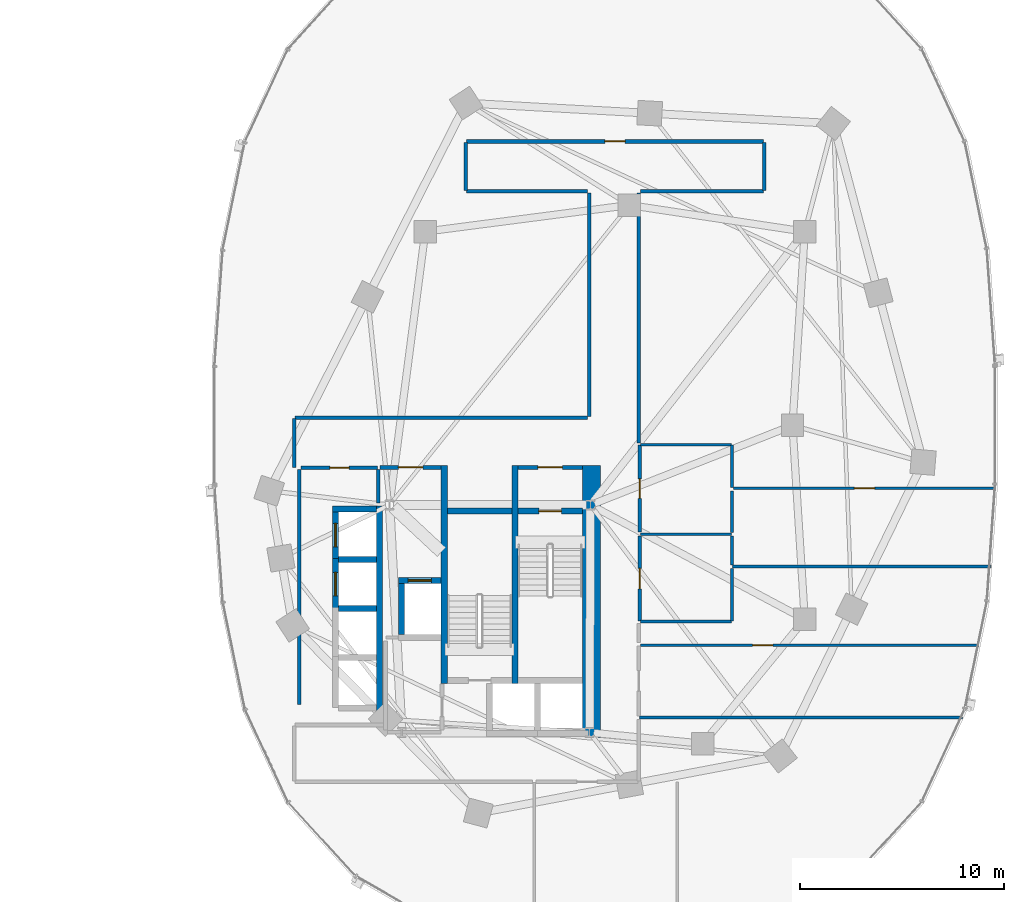
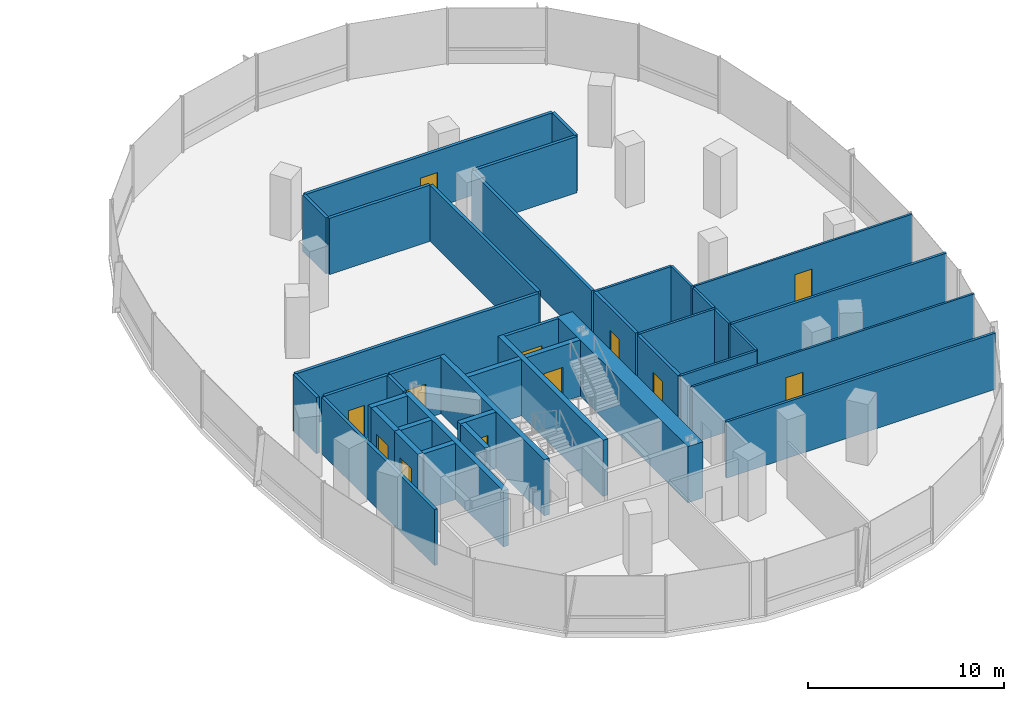
# One storey, part 13 of 21: 40 walls, 12 doors, 12 openings.
"""IFC4 building model written with IfcOpenShell, lengths in metres."""

from ifc_helpers import new_model, si_unit, direction, frame, frame_2d, origin, place, context, subcontext, project, spatial, rectangle, extrude, material, layer, layer_set, type_object, element, fill, save


model = new_model("IFC4")

# Units and contexts
model_context = context("Model", 3, precision=1e-05, world=origin(), true_north=direction((0.0, 1.0)))
body_context = subcontext(model_context, "Body", "Model", "MODEL_VIEW")
ifc_project = project(units=[si_unit("LENGTHUNIT", "METRE"), si_unit("AREAUNIT", "SQUARE_METRE"), si_unit("VOLUMEUNIT", "CUBIC_METRE"), si_unit("PLANEANGLEUNIT", "RADIAN"), si_unit("MASSUNIT", "GRAM", prefix="KILO"), si_unit("THERMODYNAMICTEMPERATUREUNIT", "KELVIN"), si_unit("POWERUNIT", "WATT")], contexts=[model_context])

# Site, building, storey
site_placement = place(None, origin())
site = spatial("IfcSite", under=ifc_project, at=site_placement, CompositionType="ELEMENT")
building_placement = place(site_placement, origin())
building = spatial("IfcBuilding", under=site, at=building_placement, Name="Cundina Bronze Exchange", CompositionType="ELEMENT")
storey_placement = place(building_placement, frame((0.0, 0.0, 27.800048828125)))
storey = spatial("IfcBuildingStorey", under=building, at=storey_placement, Name="L06", CompositionType="ELEMENT", Elevation=27.800048828125)

# Wall
ifc_material_1 = material(Name="Gypsum Fireboard Partition EI120")
ifc_layer_1 = layer(ifc_material_1, 0.179931640625, Name="Gypsum Fireboard Partition EI120")
ifc_layer_set_1 = layer_set([ifc_layer_1], Name="Gypsum Fireboard Partition EI120")
wall_type_1 = type_object("IfcWallType", Name="WL-COR-180", PredefinedType="PARTITIONING", material=ifc_layer_set_1)
wall_1_placement = place(storey_placement, frame((20.889892578125, -3.800048828125, 0.0), z_axis=(0.0, 0.0, 1.0), x_axis=(0.0, 1.0, 0.0)))
element("IfcWall", 1, at=wall_1_placement, inside=storey, type_object=wall_type_1, Name="L06 E Firefighting Lobby Side Wall", PredefinedType="PARTITIONING", context=body_context, shape_type="SweptSolid", body=[
    extrude(rectangle(XDim=1.650146484375, YDim=0.179931640625, at=frame_2d((0.8251953125, 0.0))), origin(), (0.0, 0.0, 1.0), 3.5),
])

# Wall, opening, door
wall_2_placement = place(storey_placement, frame((20.97998046875, -2.06005859375, 0.0), z_axis=(0.0, 0.0, 1.0), x_axis=(1.0, 0.0, 0.0)))
wall_2 = element("IfcWall", 2, at=wall_2_placement, inside=storey, type_object=wall_type_1, Name="L06 E Firefighting Lobby Exit Wall", PredefinedType="PARTITIONING", context=body_context, shape_type="SweptSolid", body=[
    extrude(rectangle(XDim=3.0, YDim=0.179931640625, at=frame_2d((1.5, 0.0))), origin(), (0.0, 0.0, 1.0), 3.5),
])
opening_1_placement = place(wall_2_placement, frame((0.89990234375, 0.0, 0.0)))
opening_1 = element("IfcOpeningElement", 3, at=opening_1_placement, cuts=wall_2, Name="Opening DF-01", PredefinedType="OPENING", context=body_context, shape_type="SweptSolid", body=[
    extrude(rectangle(XDim=1.199951171875, YDim=2.14990234375, at=frame_2d((0.60009765625, 1.074951171875))), frame((0.0, 0.099853515625, 0.0), z_axis=(0.0, -1.0, 0.0), x_axis=(1.0, 0.0, 0.0)), (0.0, 0.0, 1.0), 0.199951171875),
])
ifc_material_2 = material(Name="Steel ASTM A36 Painted", Category="steel")
door_type_1 = type_object("IfcDoorType", Name="DR-FFL-1200", OperationType="NOTDEFINED", PredefinedType="DOOR", material=ifc_material_2)
door_1_placement = place(opening_1_placement, origin())
door_1 = element("IfcDoor", 4, at=door_1_placement, inside=storey, type_object=door_type_1, Name="L06 E Firefighting Lobby Door", OperationType="SINGLE_SWING_LEFT", OverallHeight=2.14990234375, OverallWidth=1.199951171875, PredefinedType="DOOR", context=body_context, shape_type="SweptSolid", body=[
    extrude(rectangle(XDim=1.199951171875, YDim=2.14990234375, at=frame_2d((0.60009765625, 1.074951171875))), frame((0.0, 0.02490234375, 0.0), z_axis=(0.0, -1.0, 0.0), x_axis=(1.0, 0.0, 0.0)), (0.0, 0.0, 1.0), 0.050048828125),
])
fill(opening_1, door_1)

wall_3_placement = place(storey_placement, frame((27.739990234375, -2.06005859375, 0.0), z_axis=(0.0, 0.0, 1.0), x_axis=(1.0, 0.0, 0.0)))
wall_3 = element("IfcWall", 5, at=wall_3_placement, inside=storey, type_object=wall_type_1, Name="L06 E Stair Vestibule Exit Wall", PredefinedType="PARTITIONING", context=body_context, shape_type="SweptSolid", body=[
    extrude(rectangle(XDim=3.159912109375, YDim=0.179931640625, at=frame_2d((1.580078125, 0.0))), origin(), (0.0, 0.0, 1.0), 3.5),
])
opening_2_placement = place(wall_3_placement, frame((0.97998046875, 0.0, 0.0)))
opening_2 = element("IfcOpeningElement", 6, at=opening_2_placement, cuts=wall_3, Name="Opening DF-01", PredefinedType="OPENING", context=body_context, shape_type="SweptSolid", body=[
    extrude(rectangle(XDim=1.199951171875, YDim=2.14990234375, at=frame_2d((0.60009765625, 1.074951171875))), frame((0.0, 0.099853515625, 0.0), z_axis=(0.0, -1.0, 0.0), x_axis=(1.0, 0.0, 0.0)), (0.0, 0.0, 1.0), 0.199951171875),
])
door_2_placement = place(opening_2_placement, origin())
door_2 = element("IfcDoor", 7, at=door_2_placement, inside=storey, type_object=door_type_1, Name="L06 E Stair Vestibule Door", OperationType="SINGLE_SWING_RIGHT", OverallHeight=2.14990234375, OverallWidth=1.199951171875, PredefinedType="DOOR", context=body_context, shape_type="SweptSolid", body=[
    extrude(rectangle(XDim=1.199951171875, YDim=2.14990234375, at=frame_2d((0.60009765625, 1.074951171875))), frame((0.0, 0.02490234375, 0.0), z_axis=(0.0, -1.0, 0.0), x_axis=(1.0, 0.0, 0.0)), (0.0, 0.0, 1.0), 0.050048828125),
])
fill(opening_2, door_2)

# Wall
wall_4_placement = place(storey_placement, frame((17.02001953125, -13.679931640625, 0.0), z_axis=(0.0, 0.0, 1.0), x_axis=(0.0, 1.0, 0.0)))
element("IfcWall", 8, at=wall_4_placement, inside=storey, type_object=wall_type_1, Name="L06 Interior Partition 038", PredefinedType="PARTITIONING", context=body_context, shape_type="SweptSolid", body=[
    extrude(rectangle(XDim=11.510009765625, YDim=0.179931640625, at=frame_2d((5.7548828125, 0.0))), origin(), (0.0, 0.0, 1.0), 3.5),
])

# Wall, opening, door
wall_5_placement = place(storey_placement, frame((17.1201171875, -2.070068359375, 0.0), z_axis=(0.0, 0.0, 1.0), x_axis=(1.0, 0.0, 0.0)))
wall_5 = element("IfcWall", 9, at=wall_5_placement, inside=storey, type_object=wall_type_1, Name="L06 Interior Partition 039", PredefinedType="PARTITIONING", context=body_context, shape_type="SweptSolid", body=[
    extrude(rectangle(XDim=3.75, YDim=0.179931640625, at=frame_2d((1.875, 0.0))), origin(), (0.0, 0.0, 1.0), 3.5),
])
opening_3_placement = place(wall_5_placement, frame((1.39990234375, 0.0, 0.0)))
opening_3 = element("IfcOpeningElement", 10, at=opening_3_placement, cuts=wall_5, Name="Opening DW-01", PredefinedType="OPENING", context=body_context, shape_type="SweptSolid", body=[
    extrude(rectangle(XDim=0.949951171875, YDim=2.10009765625, at=frame_2d((0.47509765625, 1.050048828125))), frame((0.0, 0.099853515625, 0.0), z_axis=(0.0, -1.0, 0.0), x_axis=(1.0, 0.0, 0.0)), (0.0, 0.0, 1.0), 0.199951171875),
])
ifc_material_3 = material(Name="Solid Andean Oak Timber Grade A", Category="wood")
door_type_2 = type_object("IfcDoorType", Name="DR-WC-950", OperationType="NOTDEFINED", PredefinedType="DOOR", material=ifc_material_3)
door_3_placement = place(opening_3_placement, origin())
door_3 = element("IfcDoor", 11, at=door_3_placement, inside=storey, type_object=door_type_2, Name="L06 Interior Door 039", OperationType="SINGLE_SWING_RIGHT", OverallHeight=2.10009765625, OverallWidth=0.949951171875, PredefinedType="DOOR", context=body_context, shape_type="SweptSolid", body=[
    extrude(rectangle(XDim=0.949951171875, YDim=2.10009765625, at=frame_2d((0.47509765625, 1.050048828125))), frame((0.0, 0.02490234375, 0.0), z_axis=(0.0, -1.0, 0.0), x_axis=(1.0, 0.0, 0.0)), (0.0, 0.0, 1.0), 0.050048828125),
])
fill(opening_3, door_3)

wall_6_placement = place(storey_placement, frame((33.719970703125, -5.22998046875, 0.0), z_axis=(0.0, 0.0, 1.0), x_axis=(0.0, 1.0, 0.0)))
wall_6 = element("IfcWall", 12, at=wall_6_placement, inside=storey, type_object=wall_type_1, Name="L06 Interior Partition 051", PredefinedType="PARTITIONING", context=body_context, shape_type="SweptSolid", body=[
    extrude(rectangle(XDim=4.260009765625, YDim=0.179931640625, at=frame_2d((2.1298828125, 0.0))), origin(), (0.0, 0.0, 1.0), 3.5),
])
opening_4_placement = place(wall_6_placement, frame((1.655029296875, 0.0, 0.0)))
opening_4 = element("IfcOpeningElement", 13, at=opening_4_placement, cuts=wall_6, Name="Opening DW-01", PredefinedType="OPENING", context=body_context, shape_type="SweptSolid", body=[
    extrude(rectangle(XDim=0.949951171875, YDim=2.10009765625, at=frame_2d((0.47509765625, 1.050048828125))), frame((0.0, 0.099853515625, 0.0), z_axis=(0.0, -1.0, 0.0), x_axis=(1.0, 0.0, 0.0)), (0.0, 0.0, 1.0), 0.199951171875),
])
door_4_placement = place(opening_4_placement, origin())
door_4 = element("IfcDoor", 14, at=door_4_placement, inside=storey, type_object=door_type_2, Name="L06 Interior Door 051", OperationType="SINGLE_SWING_RIGHT", OverallHeight=2.10009765625, OverallWidth=0.949951171875, PredefinedType="DOOR", context=body_context, shape_type="SweptSolid", body=[
    extrude(rectangle(XDim=0.949951171875, YDim=2.10009765625, at=frame_2d((0.47509765625, 1.050048828125))), frame((0.0, 0.02490234375, 0.0), z_axis=(0.0, -1.0, 0.0), x_axis=(1.0, 0.0, 0.0)), (0.0, 0.0, 1.0), 0.050048828125),
])
fill(opening_4, door_4)

wall_7_placement = place(storey_placement, frame((33.719970703125, -9.590087890625, 0.0), z_axis=(0.0, 0.0, 1.0), x_axis=(0.0, 1.0, 0.0)))
wall_7 = element("IfcWall", 15, at=wall_7_placement, inside=storey, type_object=wall_type_1, Name="L06 Interior Partition 052", PredefinedType="PARTITIONING", context=body_context, shape_type="SweptSolid", body=[
    extrude(rectangle(XDim=4.16015625, YDim=0.179931640625, at=frame_2d((2.080078125, 0.0))), origin(), (0.0, 0.0, 1.0), 3.5),
])
opening_5_placement = place(wall_7_placement, frame((1.580078125, 0.0, 0.0)))
opening_5 = element("IfcOpeningElement", 16, at=opening_5_placement, cuts=wall_7, Name="Opening DO-01", PredefinedType="OPENING", context=body_context, shape_type="SweptSolid", body=[
    extrude(rectangle(XDim=1.0, YDim=2.14990234375, at=frame_2d((0.5, 1.074951171875))), frame((0.0, 0.099853515625, 0.0), z_axis=(0.0, -1.0, 0.0), x_axis=(1.0, 0.0, 0.0)), (0.0, 0.0, 1.0), 0.199951171875),
])
door_type_3 = type_object("IfcDoorType", Name="DR-OFF-1000", OperationType="NOTDEFINED", PredefinedType="DOOR", material=ifc_material_3)
door_5_placement = place(opening_5_placement, origin())
door_5 = element("IfcDoor", 17, at=door_5_placement, inside=storey, type_object=door_type_3, Name="L06 Interior Door 052", OperationType="SINGLE_SWING_RIGHT", OverallHeight=2.14990234375, OverallWidth=1.0, PredefinedType="DOOR", context=body_context, shape_type="SweptSolid", body=[
    extrude(rectangle(XDim=1.0, YDim=2.14990234375, at=frame_2d((0.5, 1.074951171875))), frame((0.0, 0.02490234375, 0.0), z_axis=(0.0, -1.0, 0.0), x_axis=(1.0, 0.0, 0.0)), (0.0, 0.0, 1.0), 0.050048828125),
])
fill(opening_5, door_5)

wall_8_placement = place(storey_placement, frame((39.778564453125, 13.919921875, 0.0), z_axis=(0.0, 0.0, 1.0), x_axis=(-1.0, 0.0, 0.0)))
wall_8 = element("IfcWall", 18, at=wall_8_placement, inside=storey, type_object=wall_type_1, Name="L06 Interior Partition 061", PredefinedType="PARTITIONING", context=body_context, shape_type="SweptSolid", body=[
    extrude(rectangle(XDim=14.55712890625, YDim=0.179931640625, at=frame_2d((7.278564453125, 0.0))), origin(), (0.0, 0.0, 1.0), 3.5),
])
opening_6_placement = place(wall_8_placement, frame((6.778564453125, 0.0, 0.0)))
opening_6 = element("IfcOpeningElement", 19, at=opening_6_placement, cuts=wall_8, Name="Opening DO-01", PredefinedType="OPENING", context=body_context, shape_type="SweptSolid", body=[
    extrude(rectangle(XDim=1.0, YDim=2.14990234375, at=frame_2d((0.5, 1.074951171875))), frame((0.0, 0.099853515625, 0.0), z_axis=(0.0, -1.0, 0.0), x_axis=(1.0, 0.0, 0.0)), (0.0, 0.0, 1.0), 0.199951171875),
])
door_6_placement = place(opening_6_placement, origin())
door_6 = element("IfcDoor", 20, at=door_6_placement, inside=storey, type_object=door_type_3, Name="L06 Interior Door 061", OperationType="SINGLE_SWING_LEFT", OverallHeight=2.14990234375, OverallWidth=1.0, PredefinedType="DOOR", context=body_context, shape_type="SweptSolid", body=[
    extrude(rectangle(XDim=1.0, YDim=2.14990234375, at=frame_2d((0.5, 1.074951171875))), frame((0.0, 0.02490234375, 0.0), z_axis=(0.0, -1.0, 0.0), x_axis=(1.0, 0.0, 0.0)), (0.0, 0.0, 1.0), 0.050048828125),
])
fill(opening_6, door_6)

# Walls
wall_9_placement = place(storey_placement, frame((31.14990234375, 0.3701171875, 0.0), z_axis=(0.0, 0.0, 1.0), x_axis=(-1.0, 0.0, 0.0)))
element("IfcWall", 21, at=wall_9_placement, inside=storey, type_object=wall_type_1, Name="L06 Interior Partition 062", PredefinedType="PARTITIONING", context=body_context, shape_type="SweptSolid", body=[
    extrude(rectangle(XDim=14.328369140625, YDim=0.179931640625, at=frame_2d((7.1640625, 0.0))), origin(), (0.0, 0.0, 1.0), 3.5),
])
wall_10_placement = place(storey_placement, frame((33.669921875, -0.858642578125, 0.0), z_axis=(0.0, 0.0, 1.0), x_axis=(0.0, 1.0, 0.0)))
element("IfcWall", 22, at=wall_10_placement, inside=storey, type_object=wall_type_1, Name="L06 Interior Partition 063", PredefinedType="PARTITIONING", context=body_context, shape_type="SweptSolid", body=[
    extrude(rectangle(XDim=12.258544921875, YDim=0.179931640625, at=frame_2d((6.12939453125, 0.0))), origin(), (0.0, 0.0, 1.0), 3.5),
])
wall_11_placement = place(storey_placement, frame((31.22998046875, 11.39990234375, 0.0), z_axis=(0.0, 0.0, 1.0), x_axis=(0.0, -1.0, 0.0)))
element("IfcWall", 23, at=wall_11_placement, inside=storey, type_object=wall_type_1, Name="L06 Interior Partition 065", PredefinedType="PARTITIONING", context=body_context, shape_type="SweptSolid", body=[
    extrude(rectangle(XDim=10.949951171875, YDim=0.179931640625, at=frame_2d((5.47509765625, 0.0))), origin(), (0.0, 0.0, 1.0), 3.5),
])
wall_12_placement = place(storey_placement, frame((33.75, 11.47998046875, 0.0), z_axis=(0.0, 0.0, 1.0), x_axis=(1.0, 0.0, 0.0)))
element("IfcWall", 24, at=wall_12_placement, inside=storey, type_object=wall_type_1, Name="L06 Interior Partition 066", PredefinedType="PARTITIONING", context=body_context, shape_type="SweptSolid", body=[
    extrude(rectangle(XDim=6.028564453125, YDim=0.179931640625, at=frame_2d((3.01416015625, 0.0))), origin(), (0.0, 0.0, 1.0), 3.5),
])
wall_13_placement = place(storey_placement, frame((25.221435546875, 11.47998046875, 0.0), z_axis=(0.0, 0.0, 1.0), x_axis=(1.0, 0.0, 0.0)))
element("IfcWall", 25, at=wall_13_placement, inside=storey, type_object=wall_type_1, Name="L06 Interior Partition 067", PredefinedType="PARTITIONING", context=body_context, shape_type="SweptSolid", body=[
    extrude(rectangle(XDim=5.928466796875, YDim=0.179931640625, at=frame_2d((2.96435546875, 0.0))), origin(), (0.0, 0.0, 1.0), 3.5),
])
wall_14_placement = place(storey_placement, frame((16.780029296875, 0.32861328125, 0.0), z_axis=(0.0, 0.0, 1.0), x_axis=(0.0, -1.0, 0.0)))
element("IfcWall", 26, at=wall_14_placement, inside=storey, type_object=wall_type_1, Name="L06 Interior Partition 070", PredefinedType="PARTITIONING", context=body_context, shape_type="SweptSolid", body=[
    extrude(rectangle(XDim=2.38720703125, YDim=0.179931640625, at=frame_2d((1.193603515625, 0.0))), origin(), (0.0, 0.0, 1.0), 3.5),
])
for number, where, z_axis, x_axis, name in (
    (27, (39.820068359375, 11.521484375, 0.0), (0.0, 0.0, 1.0), (0.0, 1.0, 0.0), "L06 Interior Partition 071"),
    (28, (25.179931640625, 13.87841796875, 0.0), (0.0, 0.0, 1.0), (0.0, -1.0, 0.0), "L06 Interior Partition 072"),
):
    element("IfcWall", number, at=place(storey_placement, frame(where, z_axis=z_axis, x_axis=x_axis)), inside=storey, type_object=wall_type_1, Name=name, PredefinedType="PARTITIONING", context=body_context, shape_type="SweptSolid", body=[
        extrude(rectangle(XDim=2.35693359375, YDim=0.179931640625, at=frame_2d((1.178466796875, 0.0))), origin(), (0.0, 0.0, 1.0), 3.5),
    ])
ifc_material_4 = material(Name="Concrete C60/75", Category="concrete")
ifc_layer_2 = layer(ifc_material_4, 0.89990234375, Name="Concrete C60/75", Category="concrete")
ifc_layer_set_2 = layer_set([ifc_layer_2], Name="Concrete C60/75")
wall_type_2 = type_object("IfcWallType", Name="WL-CORE-900", PredefinedType="SHEAR", material=ifc_layer_set_2)
wall_15_placement = place(storey_placement, frame((31.35009765625, -15.300048828125, 0.0), z_axis=(0.0, 0.0, 1.0), x_axis=(0.0, 1.0, 0.0)))
element("IfcWall", 29, at=wall_15_placement, inside=storey, type_object=wall_type_2, Name="L06 E Primary Core Shear Spine Wall", PredefinedType="SHEAR", context=body_context, shape_type="SweptSolid", body=[
    extrude(rectangle(XDim=13.330078125, YDim=0.89990234375, at=frame_2d((6.6650390625, 0.0))), origin(), (0.0, 0.0, 1.0), 3.5),
])

# Wall, opening, door
ifc_material_5 = material(Name="Gypsum Acoustic Partition EI60")
ifc_layer_3 = layer(ifc_material_5, 0.125, Name="Gypsum Acoustic Partition EI60")
ifc_layer_set_3 = layer_set([ifc_layer_3], Name="Gypsum Acoustic Partition EI60")
wall_type_3 = type_object("IfcWallType", Name="WL-OFF-125", PredefinedType="PARTITIONING", material=ifc_layer_set_3)
wall_16_placement = place(storey_placement, frame((50.3427734375, -10.77001953125, 0.0), z_axis=(0.0, 0.0, 1.0), x_axis=(-1.0, 0.0, 0.0)))
wall_16 = element("IfcWall", 30, at=wall_16_placement, inside=storey, type_object=wall_type_3, Name="L06 Interior Partition 073", PredefinedType="PARTITIONING", context=body_context, shape_type="SweptSolid", body=[
    extrude(rectangle(XDim=16.5927734375, YDim=0.125, at=frame_2d((8.29638671875, 0.0))), origin(), (0.0, 0.0, 1.0), 3.5),
])
opening_7_placement = place(wall_16_placement, frame((10.099365234375, 0.0, 0.0)))
opening_7 = element("IfcOpeningElement", 31, at=opening_7_placement, cuts=wall_16, Name="Opening DO-01", PredefinedType="OPENING", context=body_context, shape_type="SweptSolid", body=[
    extrude(rectangle(XDim=1.0, YDim=2.14990234375, at=frame_2d((0.5, 1.074951171875))), frame((0.0, 0.072509765625, 0.0), z_axis=(0.0, -1.0, 0.0), x_axis=(1.0, 0.0, 0.0)), (0.0, 0.0, 1.0), 0.14501953125),
])
door_7_placement = place(opening_7_placement, origin())
door_7 = element("IfcDoor", 32, at=door_7_placement, inside=storey, type_object=door_type_3, Name="L06 Interior Door 073", OperationType="SINGLE_SWING_RIGHT", OverallHeight=2.14990234375, OverallWidth=1.0, PredefinedType="DOOR", context=body_context, shape_type="SweptSolid", body=[
    extrude(rectangle(XDim=1.0, YDim=2.14990234375, at=frame_2d((0.5, 1.074951171875))), frame((0.0, 0.02490234375, 0.0), z_axis=(0.0, -1.0, 0.0), x_axis=(1.0, 0.0, 0.0)), (0.0, 0.0, 1.0), 0.050048828125),
])
fill(opening_7, door_7)

wall_17_placement = place(storey_placement, frame((38.320068359375, -3.070068359375, 0.0), z_axis=(0.0, 0.0, 1.0), x_axis=(1.0, 0.0, 0.0)))
wall_17 = element("IfcWall", 33, at=wall_17_placement, inside=storey, type_object=wall_type_3, Name="L06 Interior Partition 074", PredefinedType="PARTITIONING", context=body_context, shape_type="SweptSolid", body=[
    extrude(rectangle(XDim=12.819580078125, YDim=0.125, at=frame_2d((6.40966796875, 0.0))), origin(), (0.0, 0.0, 1.0), 3.5),
])
opening_8_placement = place(wall_17_placement, frame((5.909912109375, 0.0, 0.0)))
opening_8 = element("IfcOpeningElement", 34, at=opening_8_placement, cuts=wall_17, Name="Opening DO-01", PredefinedType="OPENING", context=body_context, shape_type="SweptSolid", body=[
    extrude(rectangle(XDim=1.0, YDim=2.14990234375, at=frame_2d((0.5, 1.074951171875))), frame((0.0, 0.072509765625, 0.0), z_axis=(0.0, -1.0, 0.0), x_axis=(1.0, 0.0, 0.0)), (0.0, 0.0, 1.0), 0.14501953125),
])
door_8_placement = place(opening_8_placement, origin())
door_8 = element("IfcDoor", 35, at=door_8_placement, inside=storey, type_object=door_type_3, Name="L06 Interior Door 074", OperationType="SINGLE_SWING_LEFT", OverallHeight=2.14990234375, OverallWidth=1.0, PredefinedType="DOOR", context=body_context, shape_type="SweptSolid", body=[
    extrude(rectangle(XDim=1.0, YDim=2.14990234375, at=frame_2d((0.5, 1.074951171875))), frame((0.0, 0.02490234375, 0.0), z_axis=(0.0, -1.0, 0.0), x_axis=(1.0, 0.0, 0.0)), (0.0, 0.0, 1.0), 0.050048828125),
])
fill(opening_8, door_8)

# Walls
ifc_material_6 = material(Name="Concrete C50/60", Category="concrete")
ifc_layer_4 = layer(ifc_material_6, 0.300048828125, Name="Concrete C50/60", Category="concrete")
ifc_layer_set_4 = layer_set([ifc_layer_4], Name="Concrete C50/60")
wall_type_4 = type_object("IfcWallType", Name="WL-SHFT-300", PredefinedType="SHEAR", material=ifc_layer_set_4)
for number, where, z_axis, x_axis, name in (
    (36, (27.590087890625, -12.64990234375, 0.0), (0.0, 0.0, 1.0), (0.0, 1.0, 0.0), "L06 E Stair Shaft Dividing Shear Wall"),
    (37, (24.1298828125, -12.64990234375, 0.0), (0.0, 0.0, 1.0), (0.0, 1.0, 0.0), "L06 E Stair 2 East Shear Wall"),
):
    element("IfcWall", number, at=place(storey_placement, frame(where, z_axis=z_axis, x_axis=x_axis)), inside=storey, type_object=wall_type_4, Name=name, PredefinedType="SHEAR", context=body_context, shape_type="SweptSolid", body=[
        extrude(rectangle(XDim=10.679931640625, YDim=0.300048828125, at=frame_2d((5.33984375, 0.0))), origin(), (0.0, 0.0, 1.0), 3.5),
    ])

# Wall, opening, door
wall_18_placement = place(storey_placement, frame((27.739990234375, -4.199951171875, 0.0), z_axis=(0.0, 0.0, 1.0), x_axis=(1.0, 0.0, 0.0)))
wall_18 = element("IfcWall", 38, at=wall_18_placement, inside=storey, type_object=wall_type_4, Name="L06 Stair E1 Landing Wall", PredefinedType="SHEAR", context=body_context, shape_type="SweptSolid", body=[
    extrude(rectangle(XDim=3.159912109375, YDim=0.300048828125, at=frame_2d((1.580078125, 0.0))), origin(), (0.0, 0.0, 1.0), 3.5),
])
opening_9_placement = place(wall_18_placement, frame((1.030029296875, 0.0, 0.0)))
opening_9 = element("IfcOpeningElement", 39, at=opening_9_placement, cuts=wall_18, Name="Opening DS-01", PredefinedType="OPENING", context=body_context, shape_type="SweptSolid", body=[
    extrude(rectangle(XDim=1.10009765625, YDim=2.14990234375, at=frame_2d((0.550048828125, 1.074951171875))), frame((0.0, 0.159912109375, 0.0), z_axis=(0.0, -1.0, 0.0), x_axis=(1.0, 0.0, 0.0)), (0.0, 0.0, 1.0), 0.320068359375),
])
door_type_4 = type_object("IfcDoorType", Name="DR-STR-1100", OperationType="NOTDEFINED", PredefinedType="DOOR", material=ifc_material_2)
door_9_placement = place(opening_9_placement, origin())
door_9 = element("IfcDoor", 40, at=door_9_placement, inside=storey, type_object=door_type_4, Name="L06 Smokeproof Stair E1 Door", OperationType="SINGLE_SWING_LEFT", OverallHeight=2.14990234375, OverallWidth=1.10009765625, PredefinedType="DOOR", context=body_context, shape_type="SweptSolid", body=[
    extrude(rectangle(XDim=1.10009765625, YDim=2.14990234375, at=frame_2d((0.550048828125, 1.074951171875))), frame((0.0, 0.02490234375, 0.0), z_axis=(0.0, -1.0, 0.0), x_axis=(1.0, 0.0, 0.0)), (0.0, 0.0, 1.0), 0.050048828125),
])
fill(opening_9, door_9)

# Wall
wall_19_placement = place(storey_placement, frame((24.280029296875, -4.199951171875, 0.0), z_axis=(0.0, 0.0, 1.0), x_axis=(1.0, 0.0, 0.0)))
element("IfcWall", 41, at=wall_19_placement, inside=storey, type_object=wall_type_4, Name="L06 Stair E2 Far Shaft Wall", PredefinedType="SHEAR", context=body_context, shape_type="SweptSolid", body=[
    extrude(rectangle(XDim=3.159912109375, YDim=0.300048828125, at=frame_2d((1.580078125, 0.0))), origin(), (0.0, 0.0, 1.0), 3.5),
])

# Wall, opening, door
wall_20_placement = place(storey_placement, frame((21.8798828125, -7.60009765625, 0.0), z_axis=(0.0, 0.0, 1.0), x_axis=(1.0, 0.0, 0.0)))
wall_20 = element("IfcWall", 42, at=wall_20_placement, inside=storey, type_object=wall_type_4, Name="L06 FFL-E Hoistway Front Wall", PredefinedType="SHEAR", context=body_context, shape_type="SweptSolid", body=[
    extrude(rectangle(XDim=2.10009765625, YDim=0.300048828125, at=frame_2d((1.050048828125, 0.0))), origin(), (0.0, 0.0, 1.0), 3.5),
])
opening_10_placement = place(wall_20_placement, frame((0.47509765625, 0.0, 0.0)))
opening_10 = element("IfcOpeningElement", 43, at=opening_10_placement, cuts=wall_20, Name="Opening LD-01", PredefinedType="OPENING", context=body_context, shape_type="SweptSolid", body=[
    extrude(rectangle(XDim=1.14990234375, YDim=2.199951171875, at=frame_2d((0.574951171875, 1.10009765625))), frame((0.0, 0.159912109375, 0.0), z_axis=(0.0, -1.0, 0.0), x_axis=(1.0, 0.0, 0.0)), (0.0, 0.0, 1.0), 0.320068359375),
])
door_type_5 = type_object("IfcDoorType", Name="DR-LND-1150", OperationType="NOTDEFINED", PredefinedType="TRAPDOOR", material=ifc_material_2)
door_10_placement = place(opening_10_placement, origin())
door_10 = element("IfcDoor", 44, at=door_10_placement, inside=storey, type_object=door_type_5, Name="L06 FFL-E Sliding Landing Door", OperationType="SLIDING_TO_LEFT", OverallHeight=2.199951171875, OverallWidth=1.14990234375, PredefinedType="TRAPDOOR", context=body_context, shape_type="SweptSolid", body=[
    extrude(rectangle(XDim=1.14990234375, YDim=2.199951171875, at=frame_2d((0.574951171875, 1.10009765625))), frame((0.0, 0.02490234375, 0.0), z_axis=(0.0, -1.0, 0.0), x_axis=(1.0, 0.0, 0.0)), (0.0, 0.0, 1.0), 0.050048828125),
])
fill(opening_10, door_10)

# Walls
wall_21_placement = place(storey_placement, frame((22.030029296875, -10.25, 0.0), z_axis=(0.0, 0.0, 1.0), x_axis=(0.0, 1.0, 0.0)))
element("IfcWall", 45, at=wall_21_placement, inside=storey, type_object=wall_type_4, Name="L06 FFL-E Hoistway Side Wall", PredefinedType="SHEAR", context=body_context, shape_type="SweptSolid", body=[
    extrude(rectangle(XDim=2.5, YDim=0.300048828125, at=frame_2d((1.25, 0.0))), origin(), (0.0, 0.0, 1.0), 3.5),
])
wall_22_placement = place(storey_placement, frame((20.949951171875, -14.0, 0.0), z_axis=(0.0, 0.0, 1.0), x_axis=(0.0, 1.0, 0.0)))
element("IfcWall", 46, at=wall_22_placement, inside=storey, type_object=wall_type_4, Name="L06 E Passenger Bank Hoistway Back Wall", PredefinedType="SHEAR", context=body_context, shape_type="SweptSolid", body=[
    extrude(rectangle(XDim=10.050048828125, YDim=0.300048828125, at=frame_2d((5.02490234375, 0.0))), origin(), (0.0, 0.0, 1.0), 3.5),
])
wall_23_placement = place(storey_placement, frame((18.64990234375, -4.10009765625, 0.0), z_axis=(0.0, 0.0, 1.0), x_axis=(1.0, 0.0, 0.0)))
element("IfcWall", 47, at=wall_23_placement, inside=storey, type_object=wall_type_4, Name="L06 E Passenger Bank North Cap Wall", PredefinedType="SHEAR", context=body_context, shape_type="SweptSolid", body=[
    extrude(rectangle(XDim=2.150146484375, YDim=0.300048828125, at=frame_2d((1.0751953125, 0.0))), origin(), (0.0, 0.0, 1.0), 3.5),
])
for number, where, z_axis, x_axis, name in (
    (48, (18.949951171875, -8.97509765625, 0.0), (0.0, 0.0, 1.0), (1.0, 0.0, 0.0), "L06 E Passenger Hoistway Divider 2"),
    (49, (18.949951171875, -6.574951171875, 0.0), (0.0, 0.0, 1.0), (1.0, 0.0, 0.0), "L06 E Passenger Hoistway Divider 3"),
):
    element("IfcWall", number, at=place(storey_placement, frame(where, z_axis=z_axis, x_axis=x_axis)), inside=storey, type_object=wall_type_4, Name=name, PredefinedType="SHEAR", context=body_context, shape_type="SweptSolid", body=[
        extrude(rectangle(XDim=1.85009765625, YDim=0.300048828125, at=frame_2d((0.925048828125, 0.0))), origin(), (0.0, 0.0, 1.0), 3.5),
    ])

# Wall, opening, door
wall_24_placement = place(storey_placement, frame((18.800048828125, -9.02001953125, 0.0), z_axis=(0.0, 0.0, 1.0), x_axis=(0.0, 1.0, 0.0)))
wall_24 = element("IfcWall", 50, at=wall_24_placement, inside=storey, type_object=wall_type_4, Name="L06 PL-E1 Hoistway Front Wall", PredefinedType="SHEAR", context=body_context, shape_type="SweptSolid", body=[
    extrude(rectangle(XDim=2.489990234375, YDim=0.300048828125, at=frame_2d((1.2451171875, 0.0))), origin(), (0.0, 0.0, 1.0), 3.5),
])
opening_11_placement = place(wall_24_placement, frame((0.669921875, 0.0, 0.0)))
opening_11 = element("IfcOpeningElement", 51, at=opening_11_placement, cuts=wall_24, Name="Opening LD-01", PredefinedType="OPENING", context=body_context, shape_type="SweptSolid", body=[
    extrude(rectangle(XDim=1.14990234375, YDim=2.199951171875, at=frame_2d((0.574951171875, 1.10009765625))), frame((0.0, 0.159912109375, 0.0), z_axis=(0.0, -1.0, 0.0), x_axis=(1.0, 0.0, 0.0)), (0.0, 0.0, 1.0), 0.320068359375),
])
door_11_placement = place(opening_11_placement, origin())
door_11 = element("IfcDoor", 52, at=door_11_placement, inside=storey, type_object=door_type_5, Name="L06 PL-E1 Sliding Landing Door", OperationType="SLIDING_TO_LEFT", OverallHeight=2.199951171875, OverallWidth=1.14990234375, PredefinedType="TRAPDOOR", context=body_context, shape_type="SweptSolid", body=[
    extrude(rectangle(XDim=1.14990234375, YDim=2.199951171875, at=frame_2d((0.574951171875, 1.10009765625))), frame((0.0, 0.02490234375, 0.0), z_axis=(0.0, -1.0, 0.0), x_axis=(1.0, 0.0, 0.0)), (0.0, 0.0, 1.0), 0.050048828125),
])
fill(opening_11, door_11)

wall_25_placement = place(storey_placement, frame((18.800048828125, -6.6201171875, 0.0), z_axis=(0.0, 0.0, 1.0), x_axis=(0.0, 1.0, 0.0)))
wall_25 = element("IfcWall", 53, at=wall_25_placement, inside=storey, type_object=wall_type_4, Name="L06 PL-E2 Hoistway Front Wall", PredefinedType="SHEAR", context=body_context, shape_type="SweptSolid", body=[
    extrude(rectangle(XDim=2.490234375, YDim=0.300048828125, at=frame_2d((1.2451171875, 0.0))), origin(), (0.0, 0.0, 1.0), 3.5),
])
opening_12_placement = place(wall_25_placement, frame((0.669921875, 0.0, 0.0)))
opening_12 = element("IfcOpeningElement", 54, at=opening_12_placement, cuts=wall_25, Name="Opening LD-01", PredefinedType="OPENING", context=body_context, shape_type="SweptSolid", body=[
    extrude(rectangle(XDim=1.14990234375, YDim=2.199951171875, at=frame_2d((0.574951171875, 1.10009765625))), frame((0.0, 0.159912109375, 0.0), z_axis=(0.0, -1.0, 0.0), x_axis=(1.0, 0.0, 0.0)), (0.0, 0.0, 1.0), 0.320068359375),
])
door_12_placement = place(opening_12_placement, origin())
door_12 = element("IfcDoor", 55, at=door_12_placement, inside=storey, type_object=door_type_5, Name="L06 PL-E2 Sliding Landing Door", OperationType="SLIDING_TO_LEFT", OverallHeight=2.199951171875, OverallWidth=1.14990234375, PredefinedType="TRAPDOOR", context=body_context, shape_type="SweptSolid", body=[
    extrude(rectangle(XDim=1.14990234375, YDim=2.199951171875, at=frame_2d((0.574951171875, 1.10009765625))), frame((0.0, 0.02490234375, 0.0), z_axis=(0.0, -1.0, 0.0), x_axis=(1.0, 0.0, 0.0)), (0.0, 0.0, 1.0), 0.050048828125),
])
fill(opening_12, door_12)

# Walls
ifc_layer_5 = layer(ifc_material_5, 0.14990234375, Name="Gypsum Acoustic Partition EI60")
ifc_layer_set_5 = layer_set([ifc_layer_5], Name="Gypsum Acoustic Partition EI60")
wall_type_5 = type_object("IfcWallType", Name="WL-TEN-150", PredefinedType="PARTITIONING", material=ifc_layer_set_5)
wall_26_placement = place(storey_placement, frame((38.27001953125, -6.919921875, 0.0), z_axis=(0.0, 0.0, 1.0), x_axis=(1.0, 0.0, 0.0)))
element("IfcWall", 56, at=wall_26_placement, inside=storey, type_object=wall_type_5, Name="L06 Interior Partition 053", PredefinedType="PARTITIONING", context=body_context, shape_type="SweptSolid", body=[
    extrude(rectangle(XDim=12.656982421875, YDim=0.14990234375, at=frame_2d((6.32861328125, 0.0))), origin(), (0.0, 0.0, 1.0), 3.5),
])
wall_27_placement = place(storey_placement, frame((33.699951171875, -14.320068359375, 0.0), z_axis=(0.0, 0.0, 1.0), x_axis=(1.0, 0.0, 0.0)))
element("IfcWall", 57, at=wall_27_placement, inside=storey, type_object=wall_type_5, Name="L06 Interior Partition 054", PredefinedType="PARTITIONING", context=body_context, shape_type="SweptSolid", body=[
    extrude(rectangle(XDim=15.838134765625, YDim=0.14990234375, at=frame_2d((7.9189453125, 0.0))), origin(), (0.0, 0.0, 1.0), 3.5),
])
ifc_material_7 = material(Name="Moisture-Resistant Masonry Block Grade M15", Category="masonry")
ifc_layer_6 = layer(ifc_material_7, 0.139892578125, Name="Moisture-Resistant Masonry Block Grade M15", Category="masonry")
ifc_layer_set_6 = layer_set([ifc_layer_6], Name="Moisture-Resistant Masonry Block Grade M15")
wall_type_6 = type_object("IfcWallType", Name="WL-WET-140", PredefinedType="PARTITIONING", material=ifc_layer_set_6)
wall_28_placement = place(storey_placement, frame((38.239990234375, -9.590087890625, 0.0), z_axis=(0.0, 0.0, 1.0), x_axis=(0.0, 1.0, 0.0)))
element("IfcWall", 58, at=wall_28_placement, inside=storey, type_object=wall_type_6, Name="L06 Interior Partition 044", PredefinedType="PARTITIONING", context=body_context, shape_type="SweptSolid", body=[
    extrude(rectangle(XDim=2.585205078125, YDim=0.139892578125, at=frame_2d((1.29248046875, 0.0))), origin(), (0.0, 0.0, 1.0), 3.5),
])
wall_29_placement = place(storey_placement, frame((38.239990234375, -6.8349609375, 0.0), z_axis=(0.0, 0.0, 1.0), x_axis=(0.0, 1.0, 0.0)))
element("IfcWall", 59, at=wall_29_placement, inside=storey, type_object=wall_type_6, Name="L06 Interior Partition 045", PredefinedType="PARTITIONING", context=body_context, shape_type="SweptSolid", body=[
    extrude(rectangle(XDim=1.419921875, YDim=0.139892578125, at=frame_2d((0.7099609375, 0.0))), origin(), (0.0, 0.0, 1.0), 3.5),
])
wall_30_placement = place(storey_placement, frame((38.239990234375, -5.2451171875, 0.0), z_axis=(0.0, 0.0, 1.0), x_axis=(0.0, 1.0, 0.0)))
element("IfcWall", 60, at=wall_30_placement, inside=storey, type_object=wall_type_6, Name="L06 Interior Partition 046", PredefinedType="PARTITIONING", context=body_context, shape_type="SweptSolid", body=[
    extrude(rectangle(XDim=2.0400390625, YDim=0.139892578125, at=frame_2d((1.02001953125, 0.0))), origin(), (0.0, 0.0, 1.0), 3.5),
])
wall_31_placement = place(storey_placement, frame((38.239990234375, -3.034912109375, 0.0), z_axis=(0.0, 0.0, 1.0), x_axis=(0.0, 1.0, 0.0)))
element("IfcWall", 61, at=wall_31_placement, inside=storey, type_object=wall_type_6, Name="L06 Interior Partition 047", PredefinedType="PARTITIONING", context=body_context, shape_type="SweptSolid", body=[
    extrude(rectangle(XDim=2.06494140625, YDim=0.139892578125, at=frame_2d((1.032470703125, 0.0))), origin(), (0.0, 0.0, 1.0), 3.5),
])
for number, where, z_axis, x_axis, name in (
    (62, (33.739990234375, -0.949951171875, 0.0), (0.0, 0.0, 1.0), (1.0, 0.0, 0.0), "L06 Interior Partition 048"),
    (63, (33.739990234375, -5.330078125, 0.0), (0.0, 0.0, 1.0), (1.0, 0.0, 0.0), "L06 Interior Partition 049"),
    (64, (33.739990234375, -9.610107421875, 0.0), (0.0, 0.0, 1.0), (1.0, 0.0, 0.0), "L06 Interior Partition 050"),
):
    element("IfcWall", number, at=place(storey_placement, frame(where, z_axis=z_axis, x_axis=x_axis)), inside=storey, type_object=wall_type_6, Name=name, PredefinedType="PARTITIONING", context=body_context, shape_type="SweptSolid", body=[
        extrude(rectangle(XDim=4.47998046875, YDim=0.139892578125, at=frame_2d((2.239990234375, 0.0))), origin(), (0.0, 0.0, 1.0), 3.5),
    ])

save(model, "model.ifc")
